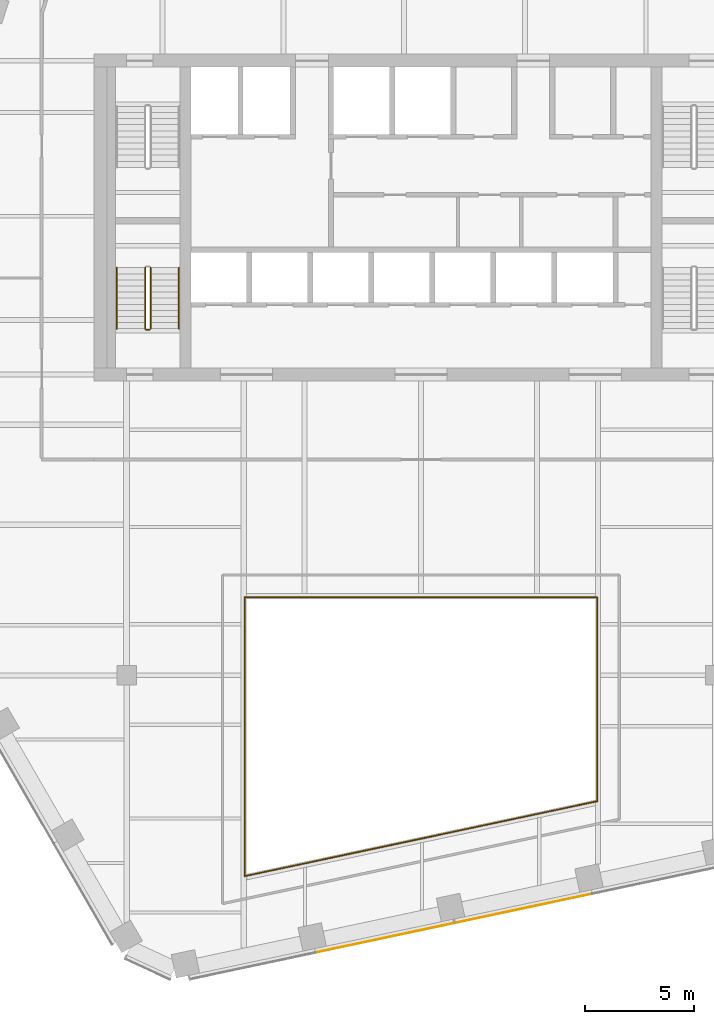
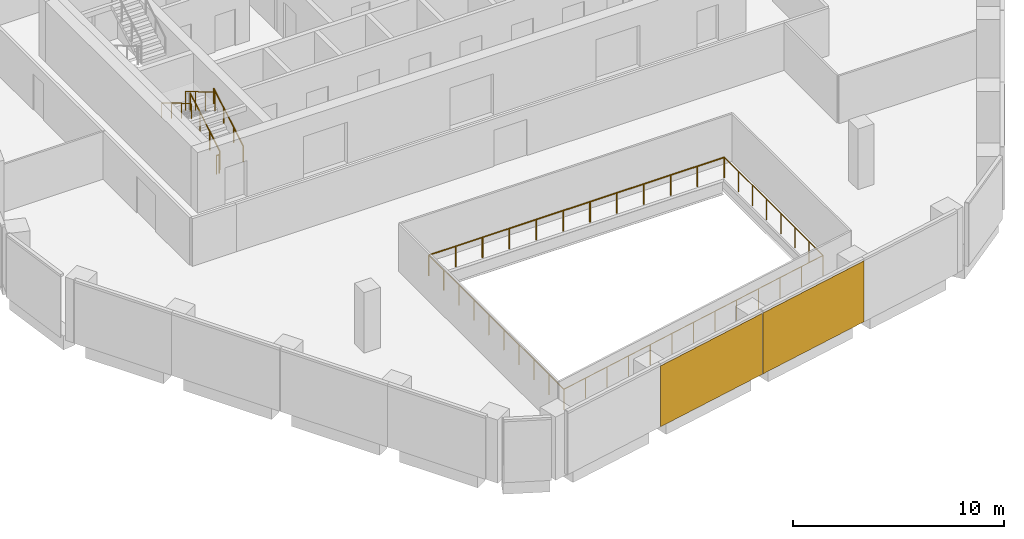
# One storey, part 12 of 15: 9 railings, 2 coverings, 1 element without a shape of its own.
"""IFC4 building model written with IfcOpenShell, lengths in metres."""

from ifc_helpers import new_model, si_unit, direction, frame, origin, origin_2d, place, context, subcontext, project, spatial, rectangle, circle, extrude, material, layer, layer_set, type_object, element, aggregate, save


model = new_model("IFC4")

# Units and contexts
model_context = context("Model", 3, precision=1e-05, world=origin(), true_north=direction((0.0, 1.0)))
body_context = subcontext(model_context, "Body", "Model", "MODEL_VIEW")
ifc_project = project(units=[si_unit("LENGTHUNIT", "METRE"), si_unit("AREAUNIT", "SQUARE_METRE"), si_unit("VOLUMEUNIT", "CUBIC_METRE"), si_unit("PLANEANGLEUNIT", "RADIAN"), si_unit("MASSUNIT", "GRAM", prefix="KILO")], contexts=[model_context])

# Site, building, storey
site_placement = place(None, origin())
site = spatial("IfcSite", under=ifc_project, at=site_placement, CompositionType="ELEMENT")
building_placement = place(site_placement, origin())
building = spatial("IfcBuilding", under=site, at=building_placement, Name="Isthmus Gate Tower", CompositionType="ELEMENT")
storey_placement = place(building_placement, frame((0.0, 0.0, 241.85009765625)))
storey = spatial("IfcBuildingStorey", under=building, at=storey_placement, Name="L61", CompositionType="ELEMENT", Elevation=241.85009765625)

# Railings
ifc_material_1 = material(Name="Laminated toughened glass balustrade with steel rail", Category="steel")
railing_type_1 = type_object("IfcRailingType", Name="ATRIUM GUARD GLASS BALUSTRADE 1200", PredefinedType="GUARDRAIL", material=ifc_material_1)
railing_1_placement = place(storey_placement, frame((-8.080078125, -22.7099609375, 0.0)))
element("IfcRailing", 1, at=railing_1_placement, inside=storey, type_object=railing_type_1, Name="L61 atrium guard", PredefinedType="GUARDRAIL", context=body_context, shape_type="SweptSolid", body=[
    extrude(circle(Radius=0.02490234375, at=origin_2d()), frame((0.0, 0.0, 1.1748046875), z_axis=(0.0, 1.0, 0.0), x_axis=(-1.0, 0.0, 0.0)), (0.0, 0.0, 1.0), 12.7900390625),
    extrude(circle(Radius=0.02490234375, at=origin_2d()), origin(), (0.0, 0.0, 1.0), 1.14990234375),
    extrude(circle(Radius=0.02490234375, at=origin_2d()), frame((0.0, 1.421142578125, 0.0)), (0.0, 0.0, 1.0), 1.14990234375),
    extrude(circle(Radius=0.02490234375, at=origin_2d()), frame((0.0, 2.84228515625, 0.0)), (0.0, 0.0, 1.0), 1.14990234375),
    extrude(circle(Radius=0.02490234375, at=origin_2d()), frame((0.0, 4.263427734375, 0.0)), (0.0, 0.0, 1.0), 1.14990234375),
    extrude(circle(Radius=0.02490234375, at=origin_2d()), frame((0.0, 5.6845703125, 0.0)), (0.0, 0.0, 1.0), 1.14990234375),
    extrude(circle(Radius=0.02490234375, at=origin_2d()), frame((0.0, 7.10546875, 0.0)), (0.0, 0.0, 1.0), 1.14990234375),
    extrude(circle(Radius=0.02490234375, at=origin_2d()), frame((0.0, 8.526611328125, 0.0)), (0.0, 0.0, 1.0), 1.14990234375),
    extrude(circle(Radius=0.02490234375, at=origin_2d()), frame((0.0, 9.94775390625, 0.0)), (0.0, 0.0, 1.0), 1.14990234375),
    extrude(circle(Radius=0.02490234375, at=origin_2d()), frame((0.0, 11.368896484375, 0.0)), (0.0, 0.0, 1.0), 1.14990234375),
    extrude(circle(Radius=0.02490234375, at=origin_2d()), frame((0.0, 12.7900390625, 0.0)), (0.0, 0.0, 1.0), 1.14990234375),
])
railing_2_placement = place(storey_placement, frame((-8.080078125, -9.919921875, 0.0)))
element("IfcRailing", 2, at=railing_2_placement, inside=storey, type_object=railing_type_1, Name="L61 atrium guard", PredefinedType="GUARDRAIL", context=body_context, shape_type="SweptSolid", body=[
    extrude(circle(Radius=0.02490234375, at=origin_2d()), frame((0.0, 0.0, 1.1748046875), z_axis=(1.0, 0.0, 0.0), x_axis=(0.0, 1.0, 0.0)), (0.0, 0.0, 1.0), 16.16015625),
    extrude(circle(Radius=0.02490234375, at=origin_2d()), origin(), (0.0, 0.0, 1.0), 1.14990234375),
    extrude(circle(Radius=0.02490234375, at=origin_2d()), frame((1.468994140625, 0.0, 0.0)), (0.0, 0.0, 1.0), 1.14990234375),
    extrude(circle(Radius=0.02490234375, at=origin_2d()), frame((2.938232421875, 0.0, 0.0)), (0.0, 0.0, 1.0), 1.14990234375),
    extrude(circle(Radius=0.02490234375, at=origin_2d()), frame((4.4072265625, 0.0, 0.0)), (0.0, 0.0, 1.0), 1.14990234375),
    extrude(circle(Radius=0.02490234375, at=origin_2d()), frame((5.87646484375, 0.0, 0.0)), (0.0, 0.0, 1.0), 1.14990234375),
    extrude(circle(Radius=0.02490234375, at=origin_2d()), frame((7.345458984375, 0.0, 0.0)), (0.0, 0.0, 1.0), 1.14990234375),
    extrude(circle(Radius=0.02490234375, at=origin_2d()), frame((8.814697265625, 0.0, 0.0)), (0.0, 0.0, 1.0), 1.14990234375),
    extrude(circle(Radius=0.02490234375, at=origin_2d()), frame((10.28369140625, 0.0, 0.0)), (0.0, 0.0, 1.0), 1.14990234375),
    extrude(circle(Radius=0.02490234375, at=origin_2d()), frame((11.7529296875, 0.0, 0.0)), (0.0, 0.0, 1.0), 1.14990234375),
    extrude(circle(Radius=0.02490234375, at=origin_2d()), frame((13.221923828125, 0.0, 0.0)), (0.0, 0.0, 1.0), 1.14990234375),
    extrude(circle(Radius=0.02490234375, at=origin_2d()), frame((14.691162109375, 0.0, 0.0)), (0.0, 0.0, 1.0), 1.14990234375),
    extrude(circle(Radius=0.02490234375, at=origin_2d()), frame((16.16015625, 0.0, 0.0)), (0.0, 0.0, 1.0), 1.14990234375),
])
railing_3_placement = place(storey_placement, frame((8.080078125, -9.919921875, 0.0)))
element("IfcRailing", 3, at=railing_3_placement, inside=storey, type_object=railing_type_1, Name="L61 atrium guard", PredefinedType="GUARDRAIL", context=body_context, shape_type="SweptSolid", body=[
    extrude(circle(Radius=0.02490234375, at=origin_2d()), frame((0.0, 0.0, 1.1748046875), z_axis=(0.0, -1.0, 0.0), x_axis=(1.0, 0.0, 0.0)), (0.0, 0.0, 1.0), 9.35498046875),
    extrude(circle(Radius=0.02490234375, at=origin_2d()), origin(), (0.0, 0.0, 1.0), 1.14990234375),
    extrude(circle(Radius=0.02490234375, at=origin_2d()), frame((0.0, -1.33642578125, 0.0)), (0.0, 0.0, 1.0), 1.14990234375),
    extrude(circle(Radius=0.02490234375, at=origin_2d()), frame((0.0, -2.6728515625, 0.0)), (0.0, 0.0, 1.0), 1.14990234375),
    extrude(circle(Radius=0.02490234375, at=origin_2d()), frame((0.0, -4.00927734375, 0.0)), (0.0, 0.0, 1.0), 1.14990234375),
    extrude(circle(Radius=0.02490234375, at=origin_2d()), frame((0.0, -5.345703125, 0.0)), (0.0, 0.0, 1.0), 1.14990234375),
    extrude(circle(Radius=0.02490234375, at=origin_2d()), frame((0.0, -6.68212890625, 0.0)), (0.0, 0.0, 1.0), 1.14990234375),
    extrude(circle(Radius=0.02490234375, at=origin_2d()), frame((0.0, -8.0185546875, 0.0)), (0.0, 0.0, 1.0), 1.14990234375),
    extrude(circle(Radius=0.02490234375, at=origin_2d()), frame((0.0, -9.35498046875, 0.0)), (0.0, 0.0, 1.0), 1.14990234375),
])
railing_4_placement = place(storey_placement, frame((8.080078125, -19.27490234375, 0.0)))
element("IfcRailing", 4, at=railing_4_placement, inside=storey, type_object=railing_type_1, Name="L61 atrium guard", PredefinedType="GUARDRAIL", context=body_context, shape_type="SweptSolid", body=[
    extrude(circle(Radius=0.02490234375, at=origin_2d()), frame((0.0, 0.0, 1.1748046875), z_axis=(-0.978146230105, -0.207918139013, 0.0), x_axis=(0.207918139013, -0.978146230105, 0.0)), (0.0, 0.0, 1.0), 16.521240234375),
    extrude(circle(Radius=0.02490234375, at=origin_2d()), origin(), (0.0, 0.0, 1.0), 1.14990234375),
    extrude(circle(Radius=0.02490234375, at=origin_2d()), frame((-1.3466796875, -0.2861328125, 0.0)), (0.0, 0.0, 1.0), 1.14990234375),
    extrude(circle(Radius=0.02490234375, at=origin_2d()), frame((-2.693359375, -0.572509765625, 0.0)), (0.0, 0.0, 1.0), 1.14990234375),
    extrude(circle(Radius=0.02490234375, at=origin_2d()), frame((-4.0400390625, -0.85888671875, 0.0)), (0.0, 0.0, 1.0), 1.14990234375),
    extrude(circle(Radius=0.02490234375, at=origin_2d()), frame((-5.38671875, -1.14501953125, 0.0)), (0.0, 0.0, 1.0), 1.14990234375),
    extrude(circle(Radius=0.02490234375, at=origin_2d()), frame((-6.7333984375, -1.43115234375, 0.0)), (0.0, 0.0, 1.0), 1.14990234375),
    extrude(circle(Radius=0.02490234375, at=origin_2d()), frame((-8.080078125, -1.717529296875, 0.0)), (0.0, 0.0, 1.0), 1.14990234375),
    extrude(circle(Radius=0.02490234375, at=origin_2d()), frame((-9.4267578125, -2.00390625, 0.0)), (0.0, 0.0, 1.0), 1.14990234375),
    extrude(circle(Radius=0.02490234375, at=origin_2d()), frame((-10.7734375, -2.2900390625, 0.0)), (0.0, 0.0, 1.0), 1.14990234375),
    extrude(circle(Radius=0.02490234375, at=origin_2d()), frame((-12.1201171875, -2.576171875, 0.0)), (0.0, 0.0, 1.0), 1.14990234375),
    extrude(circle(Radius=0.02490234375, at=origin_2d()), frame((-13.466796875, -2.862548828125, 0.0)), (0.0, 0.0, 1.0), 1.14990234375),
    extrude(circle(Radius=0.02490234375, at=origin_2d()), frame((-14.8134765625, -3.14892578125, 0.0)), (0.0, 0.0, 1.0), 1.14990234375),
    extrude(circle(Radius=0.02490234375, at=origin_2d()), frame((-16.16015625, -3.43505859375, 0.0)), (0.0, 0.0, 1.0), 1.14990234375),
])

# Curtain wall, coverings
ifc_material_2 = material(Name="Aluminium, pale champagne anodised", Category="aluminium")
ifc_layer_1 = layer(ifc_material_2, 0.199951171875)
ifc_layer_set_1 = layer_set([ifc_layer_1], Name="CW-1 UNITISED CURTAIN WALL 200 DEEP")
curtain_wall_type = type_object("IfcCurtainWallType", Name="CW-1 UNITISED CURTAIN WALL 200 DEEP", PredefinedType="NOTDEFINED", material=ifc_layer_set_1)
curtain_wall_placement = place(storey_placement, origin())
curtain_wall = element("IfcCurtainWall", 5, at=curtain_wall_placement, inside=storey, type_object=curtain_wall_type, Name="CW-1 S L61", PredefinedType="NOTDEFINED")
ifc_material_3 = material(Name="Aluminium composite panel, pale champagne anodised", Category="aluminium")
ifc_layer_2 = layer(ifc_material_3, 0.031982421875)
ifc_layer_set_2 = layer_set([ifc_layer_2], Name="CW-1 PALE METAL PANEL 32")
covering_type = type_object("IfcCoveringType", Name="CW-1 PALE METAL PANEL 32", PredefinedType="CLADDING", material=ifc_layer_set_2)
covering_1_placement = place(storey_placement, frame((-1.66259765625, -25.54150390625, 0.0), z_axis=(0.0, 0.0, 1.0), x_axis=(0.978147600734, 0.207911690818, 0.0)))
covering_1 = element("IfcCovering", 6, at=covering_1_placement, type_object=covering_type, Name="CW-1 pale metal panel", PredefinedType="CLADDING", context=body_context, shape_type="SweptSolid", body=[
    extrude(rectangle(XDim=6.491943359375, YDim=0.031982421875, at=origin_2d()), origin(), (0.0, 0.0, 1.0), 3.52001953125),
])
covering_2_placement = place(storey_placement, frame((4.716796875, -24.185546875, 0.0), z_axis=(0.0, 0.0, 1.0), x_axis=(0.978147600734, 0.207911690818, 0.0)))
covering_2 = element("IfcCovering", 7, at=covering_2_placement, type_object=covering_type, Name="CW-1 pale metal panel", PredefinedType="CLADDING", context=body_context, shape_type="SweptSolid", body=[
    extrude(rectangle(XDim=6.431884765625, YDim=0.031982421875, at=origin_2d()), origin(), (0.0, 0.0, 1.0), 3.52001953125),
])
aggregate(curtain_wall, [covering_1, covering_2])

# Railings
ifc_material_4 = material(Name="Stainless steel balustrade", Category="steel")
railing_type_2 = type_object("IfcRailingType", Name="STAIR GUARD 1100", PredefinedType="GUARDRAIL", material=ifc_material_4)
railing_5_placement = place(storey_placement, frame((-12.39990234375, 2.39990234375, 0.165771484375)))
element("IfcRailing", 8, at=railing_5_placement, inside=storey, type_object=railing_type_2, Name="L61 ST7 stair guard 1", PredefinedType="GUARDRAIL", context=body_context, shape_type="SweptSolid", body=[
    extrude(circle(Radius=0.02392578125, at=origin_2d()), frame((0.0, 0.0, 1.076171875), z_axis=(0.0, 0.860306154799, 0.50977771628), x_axis=(-1.0, 0.0, 0.0)), (0.0, 0.0, 1.0), 3.254638671875),
    extrude(circle(Radius=0.02099609375, at=origin_2d()), origin(), (0.0, 0.0, 1.0), 1.052001953125),
    extrude(circle(Radius=0.02099609375, at=origin_2d()), frame((0.0, 0.933349609375, 0.552978515625)), (0.0, 0.0, 1.0), 1.052001953125),
    extrude(circle(Radius=0.02099609375, at=origin_2d()), frame((0.0, 1.86669921875, 1.106201171875)), (0.0, 0.0, 1.0), 1.052001953125),
    extrude(circle(Radius=0.02099609375, at=origin_2d()), frame((0.0, 2.800048828125, 1.6591796875)), (0.0, 0.0, 1.0), 1.052001953125),
])
railing_6_placement = place(storey_placement, frame((-12.64990234375, 5.199951171875, 1.99072265625)))
element("IfcRailing", 9, at=railing_6_placement, inside=storey, type_object=railing_type_2, Name="L61 ST7 stair guard 3", PredefinedType="GUARDRAIL", context=body_context, shape_type="SweptSolid", body=[
    extrude(circle(Radius=0.02392578125, at=origin_2d()), frame((0.0, 0.0, 1.076171875), z_axis=(0.0, -0.860306154799, 0.50977771628), x_axis=(1.0, 0.0, 0.0)), (0.0, 0.0, 1.0), 3.254638671875),
    extrude(circle(Radius=0.02099609375, at=origin_2d()), origin(), (0.0, 0.0, 1.0), 1.052001953125),
    extrude(circle(Radius=0.02099609375, at=origin_2d()), frame((0.0, -0.933349609375, 0.552978515625)), (0.0, 0.0, 1.0), 1.052001953125),
    extrude(circle(Radius=0.02099609375, at=origin_2d()), frame((0.0, -1.86669921875, 1.106201171875)), (0.0, 0.0, 1.0), 1.052001953125),
    extrude(circle(Radius=0.02099609375, at=origin_2d()), frame((0.0, -2.800048828125, 1.6591796875)), (0.0, 0.0, 1.0), 1.052001953125),
])
railing_7_placement = place(storey_placement, frame((-12.449951171875, 2.35009765625, 0.0)))
element("IfcRailing", 10, at=railing_7_placement, inside=storey, type_object=railing_type_2, Name="L61 ST7 stair guard 4", PredefinedType="GUARDRAIL", context=body_context, shape_type="SweptSolid", body=[
    extrude(circle(Radius=0.02392578125, at=origin_2d()), frame((0.0, 0.0, 1.076171875), z_axis=(-1.0, 0.0, 0.0), x_axis=(0.0, -1.0, 0.0)), (0.0, 0.0, 1.0), 0.150146484375),
    extrude(circle(Radius=0.02099609375, at=origin_2d()), origin(), (0.0, 0.0, 1.0), 1.052001953125),
    extrude(circle(Radius=0.02099609375, at=origin_2d()), frame((-0.150146484375, 0.0, 0.0)), (0.0, 0.0, 1.0), 1.052001953125),
])
ifc_material_5 = material(Name="Stainless steel handrail", Category="steel")
railing_type_3 = type_object("IfcRailingType", Name="STAIR HANDRAIL 900", PredefinedType="HANDRAIL", material=ifc_material_5)
railing_8_placement = place(storey_placement, frame((-11.10009765625, 2.39990234375, 0.165771484375)))
element("IfcRailing", 11, at=railing_8_placement, inside=storey, type_object=railing_type_3, Name="L61 ST7 stair handrail 1", PredefinedType="HANDRAIL", context=body_context, shape_type="SweptSolid", body=[
    extrude(circle(Radius=0.02392578125, at=origin_2d()), frame((0.0, 0.0, 0.8759765625), z_axis=(0.0, 0.860306154799, 0.50977771628), x_axis=(-1.0, 0.0, 0.0)), (0.0, 0.0, 1.0), 3.254638671875),
    extrude(circle(Radius=0.02099609375, at=origin_2d()), origin(), (0.0, 0.0, 1.0), 0.851806640625),
    extrude(circle(Radius=0.02099609375, at=origin_2d()), frame((0.0, 0.933349609375, 0.552978515625)), (0.0, 0.0, 1.0), 0.851806640625),
    extrude(circle(Radius=0.02099609375, at=origin_2d()), frame((0.0, 1.86669921875, 1.106201171875)), (0.0, 0.0, 1.0), 0.851806640625),
    extrude(circle(Radius=0.02099609375, at=origin_2d()), frame((0.0, 2.800048828125, 1.6591796875)), (0.0, 0.0, 1.0), 0.851806640625),
])
railing_9_placement = place(storey_placement, frame((-13.949951171875, 5.199951171875, 1.99072265625)))
element("IfcRailing", 12, at=railing_9_placement, inside=storey, type_object=railing_type_3, Name="L61 ST7 stair handrail 2", PredefinedType="HANDRAIL", context=body_context, shape_type="SweptSolid", body=[
    extrude(circle(Radius=0.02392578125, at=origin_2d()), frame((0.0, 0.0, 0.8759765625), z_axis=(0.0, -0.860306154799, 0.50977771628), x_axis=(1.0, 0.0, 0.0)), (0.0, 0.0, 1.0), 3.254638671875),
    extrude(circle(Radius=0.02099609375, at=origin_2d()), origin(), (0.0, 0.0, 1.0), 0.851806640625),
    extrude(circle(Radius=0.02099609375, at=origin_2d()), frame((0.0, -0.933349609375, 0.552978515625)), (0.0, 0.0, 1.0), 0.851806640625),
    extrude(circle(Radius=0.02099609375, at=origin_2d()), frame((0.0, -1.86669921875, 1.106201171875)), (0.0, 0.0, 1.0), 0.851806640625),
    extrude(circle(Radius=0.02099609375, at=origin_2d()), frame((0.0, -2.800048828125, 1.6591796875)), (0.0, 0.0, 1.0), 0.851806640625),
])

save(model, "model.ifc")
